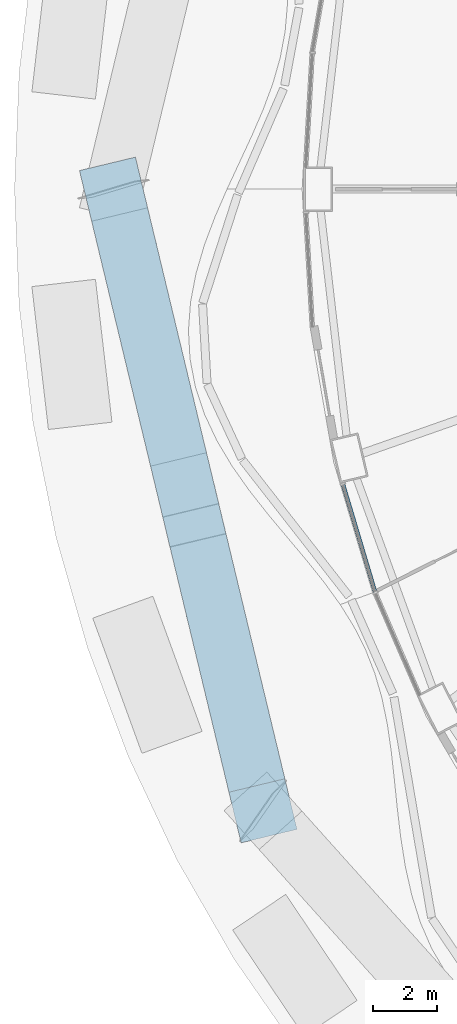
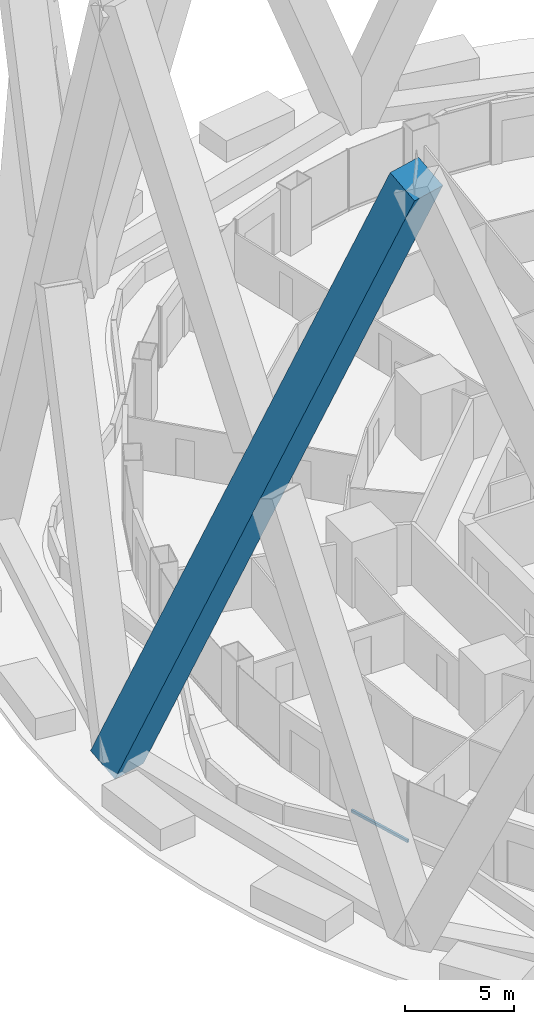
# One storey, part 5 of 42: 2 members, 1 element without a shape of its own.
"""IFC4 building model written with IfcOpenShell, lengths in metres."""

from ifc_helpers import new_model, si_unit, direction, frame, origin, origin_2d, place, context, subcontext, project, spatial, rectangle, extrude, material, layer, layer_set, material_profile, profile_set, type_object, element, aggregate, save


model = new_model("IFC4")

# Units and contexts
model_context = context("Model", 3, precision=1e-05, world=origin(), true_north=direction((0.0, 1.0)))
body_context = subcontext(model_context, "Body", "Model", "MODEL_VIEW")
ifc_project = project(units=[si_unit("LENGTHUNIT", "METRE"), si_unit("AREAUNIT", "SQUARE_METRE"), si_unit("VOLUMEUNIT", "CUBIC_METRE"), si_unit("PLANEANGLEUNIT", "RADIAN"), si_unit("MASSUNIT", "GRAM", prefix="KILO")], contexts=[model_context])

# Site, building, storey
site_placement = place(None, origin())
site = spatial("IfcSite", under=ifc_project, at=site_placement, CompositionType="ELEMENT")
building_placement = place(site_placement, origin())
building = spatial("IfcBuilding", under=site, at=building_placement, Name="Nagisa Residences", CompositionType="ELEMENT")
storey_placement = place(building_placement, frame((0.0, 0.0, 27.0)))
storey = spatial("IfcBuildingStorey", under=building, at=storey_placement, Name="L05", CompositionType="ELEMENT", Elevation=27.0)

# Curtain wall, member
ifc_material_1 = material(Name="Concrete-coloured aluminium curtain wall system", Category="concrete")
ifc_layer = layer(ifc_material_1, 0.159912109375)
ifc_layer_set = layer_set([ifc_layer], Name="CW1 CURTAIN WALL")
curtain_wall_type = type_object("IfcCurtainWallType", Name="CW1 CURTAIN WALL", PredefinedType="NOTDEFINED", material=ifc_layer_set)
curtain_wall_placement = place(storey_placement, origin())
curtain_wall = element("IfcCurtainWall", 1, at=curtain_wall_placement, inside=storey, type_object=curtain_wall_type, Name="cw:CW1:L05:26", PredefinedType="NOTDEFINED")
ifc_material_2 = material(Name="Concrete-coloured aluminium", Category="concrete")
ifc_material_profile_1 = material_profile(ifc_material_2, rectangle(XDim=0.1201171875, YDim=0.14990234375, at=origin_2d()), Name="CW1 TRANSOM 120x150")
ifc_profile_set_1 = profile_set([ifc_material_profile_1], Name="Concrete-coloured aluminium")
member_type_1 = type_object("IfcMemberType", Name="CW1 TRANSOM 120x150", PredefinedType="USERDEFINED", material=ifc_profile_set_1)
member_1_placement = place(storey_placement, frame((-24.135009765625, -9.18896484375, 0.074951171875), z_axis=(0.285808431121, -0.958286773727, 0.0), x_axis=(0.958286773727, 0.285808431121, 0.0)))
member_1 = element("IfcMember", 2, at=member_1_placement, type_object=member_type_1, Name="CW1 transom", ObjectType="TRANSOM", PredefinedType="USERDEFINED", context=body_context, shape_type="SweptSolid", body=[
    extrude(rectangle(XDim=0.1201171875, YDim=0.14990234375, at=origin_2d()), origin(), (0.0, 0.0, 1.0), 3.5654296875),
])
aggregate(curtain_wall, [member_1])

# Member
ifc_material_3 = material(Name="Concrete C80", Category="concrete")
ifc_material_profile_2 = material_profile(ifc_material_3, rectangle(XDim=1.800048828125, YDim=1.800048828125, at=origin_2d()), Name="C80 1800x1800")
ifc_profile_set_2 = profile_set([ifc_material_profile_2], Name="Concrete C80")
member_type_2 = type_object("IfcMemberType", Name="Cage diagonal 1 C80 1800x1800", PredefinedType="BRACE", material=ifc_profile_set_2)
member_2_placement = place(storey_placement, frame((-31.300048828125, 0.0, 0.0), z_axis=(0.09935140219, -0.413274235497, 0.905170539267), x_axis=(0.972298827792, 0.233741287483, 0.0)))
element("IfcMember", 3, at=member_2_placement, inside=storey, type_object=member_type_2, Name="mem:L05:cg1d113", PredefinedType="BRACE", context=body_context, shape_type="SweptSolid", body=[
    extrude(rectangle(XDim=1.800048828125, YDim=1.800048828125, at=origin_2d()), origin(), (0.0, 0.0, 1.0), 47.06298828125),
])

save(model, "model.ifc")
